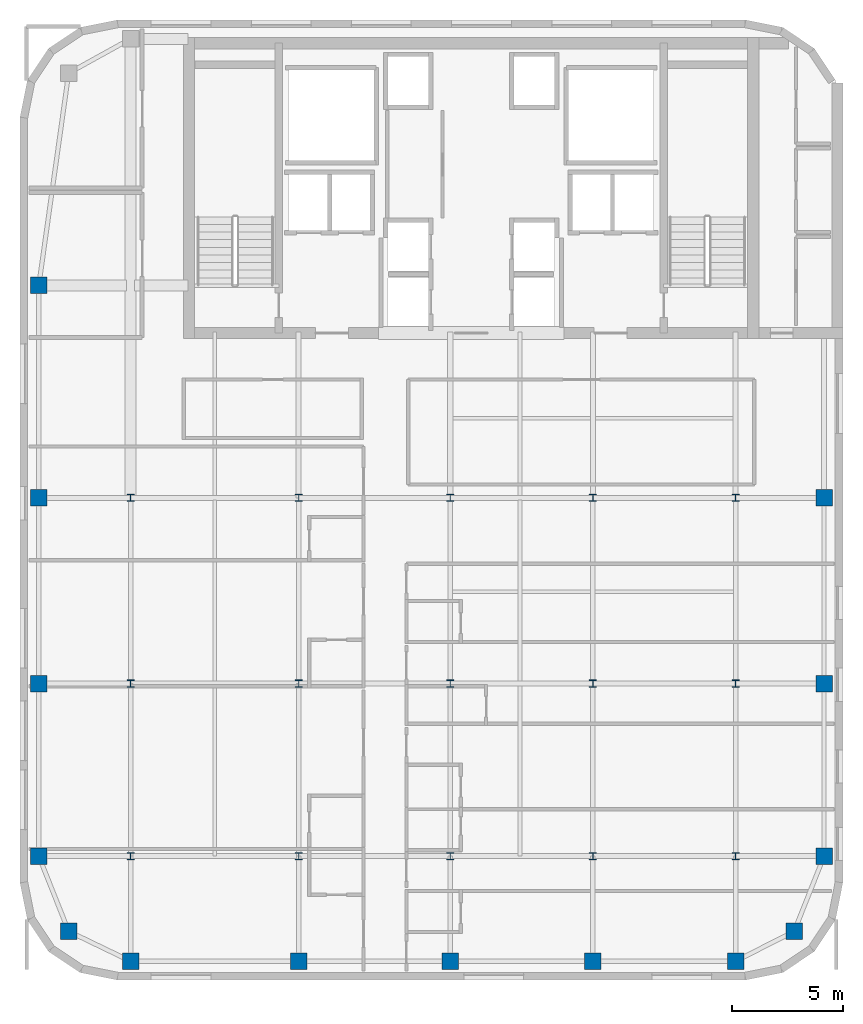
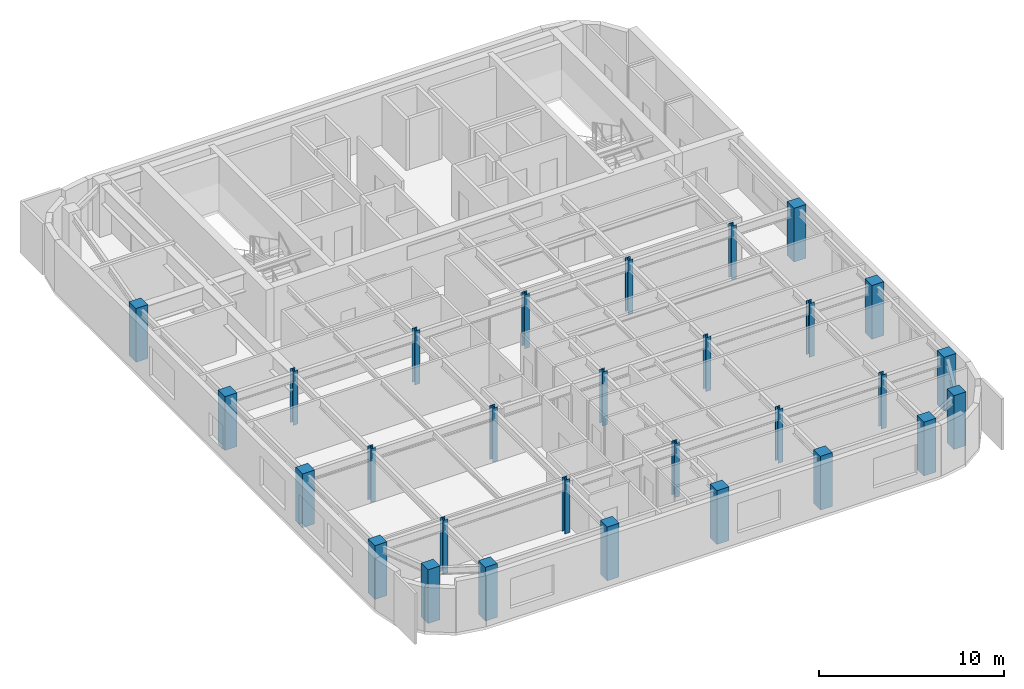
# One storey, part 1 of 9: 29 columns.
"""IFC4 building model written with IfcOpenShell, lengths in metres."""

import ifcopenshell
import ifcopenshell.guid

model = None  # the IFC model being written
_history = None  # IfcOwnerHistory: only IFC2X3 demands one
_inside = {}  # id of a spatial element -> (the spatial element, [elements in it])
_under = {}  # id of a project, library or spatial element -> (it, [spatial elements below it])
_declared = {}  # id of a project -> (the project, [libraries it declares])
_typed = {}  # id of a type object -> (the type object, [elements of that type])
_made_of = {}  # id of a material, layer set ... -> (it, [elements and type objects made of it])


def new_model(schema):
    """Start an empty IFC model of exactly this schema.

    Asked for "IFC4X3", IfcOpenShell would pick the latest addendum, in which some entities
    have other attributes; the version numbers below select the first issue.
    IFC2X3 requires an IfcOwnerHistory on every rooted entity: one is made here for all.
    """
    global model, _history
    if schema == "IFC4X3":
        model = ifcopenshell.file(schema_version=(4, 3, 0, 0))
    else:
        model = ifcopenshell.file(schema=schema)
    _inside.clear()
    _under.clear()
    _declared.clear()
    _typed.clear()
    _made_of.clear()
    _history = None
    if model.schema == "IFC2X3":
        org = make("IfcOrganization", Name="unknown")
        user = make(
            "IfcPersonAndOrganization",
            ThePerson=make("IfcPerson", FamilyName="unknown"),
            TheOrganization=org,
        )
        app = make(
            "IfcApplication",
            ApplicationDeveloper=org,
            Version="unknown",
            ApplicationFullName="unknown",
            ApplicationIdentifier="unknown",
        )
        _history = make(
            "IfcOwnerHistory",
            OwningUser=user,
            OwningApplication=app,
            ChangeAction="ADDED",
            CreationDate=0,
        )
    return model


def make(cls, **values):
    """One entity of the class cls with the attributes given. An attribute that is None is left unset."""
    return model.create_entity(
        cls, **{name: value for name, value in values.items() if value is not None}
    )


def rooted(cls, **values):
    """An entity with a GlobalId (a new one), such as an element, a storey or a relation."""
    return make(cls, GlobalId=ifcopenshell.guid.new(), OwnerHistory=_history, **values)


def si_unit(unit_type, name, prefix=None):
    """IfcSIUnit, for example si_unit("LENGTHUNIT", "METRE", prefix="MILLI")."""
    return make("IfcSIUnit", UnitType=unit_type, Prefix=prefix, Name=name)


def assignment(units):
    """IfcUnitAssignment: the units of a project."""
    return None if units is None else make("IfcUnitAssignment", Units=units)


def point(xyz):
    """IfcCartesianPoint."""
    return None if xyz is None else make("IfcCartesianPoint", Coordinates=xyz)


def direction(xyz):
    """IfcDirection."""
    return None if xyz is None else make("IfcDirection", DirectionRatios=xyz)


def frame(location, z_axis=None, x_axis=None):
    """IfcAxis2Placement3D, a coordinate frame: its origin and axes. An axis left out is left unset."""
    return make(
        "IfcAxis2Placement3D",
        Location=point(location),
        Axis=direction(z_axis),
        RefDirection=direction(x_axis),
    )


def frame_2d(location, x_axis=None):
    """IfcAxis2Placement2D, a coordinate frame in the plane: its origin and x axis."""
    return make(
        "IfcAxis2Placement2D", Location=point(location), RefDirection=direction(x_axis)
    )


def origin():
    """The frame at (0, 0, 0) with its axes left unset."""
    return frame((0.0, 0.0, 0.0))


def origin_2d():
    """The frame at (0, 0) in the plane with its x axis left unset."""
    return frame_2d((0.0, 0.0))


def place(relative_to, where):
    """IfcLocalPlacement: puts the frame where relative to a parent placement (None: the world)."""
    return make(
        "IfcLocalPlacement", PlacementRelTo=relative_to, RelativePlacement=where
    )


def context(
    kind, dimensions, precision=None, world=None, true_north=None, identifier=None
):
    """IfcGeometricRepresentationContext, for example the 3D "Model" context."""
    return make(
        "IfcGeometricRepresentationContext",
        ContextIdentifier=identifier,
        ContextType=kind,
        CoordinateSpaceDimension=dimensions,
        Precision=precision,
        WorldCoordinateSystem=world,
        TrueNorth=true_north,
    )


def subcontext(parent, identifier, kind, view, scale=None):
    """IfcGeometricRepresentationSubContext, for example "Body" below "Model"."""
    return make(
        "IfcGeometricRepresentationSubContext",
        ContextIdentifier=identifier,
        ContextType=kind,
        ParentContext=parent,
        TargetScale=scale,
        TargetView=view,
    )


def project(units=None, contexts=None):
    """IfcProject with its units and contexts."""
    return rooted(
        "IfcProject",
        Name="project",
        RepresentationContexts=contexts,
        UnitsInContext=assignment(units),
    )


def spatial(cls, under=None, at=None, **own):
    """A site, building, storey or space (cls), placed at a placement, below another one or the project."""
    s = rooted(cls, ObjectPlacement=at, **own)
    if under is not None:
        _under.setdefault(under.id(), (under, []))[1].append(s)
    return s


def profile(cls, at=None, kind="AREA", **sizes):
    """A parametric profile (cls). Its sizes go by their IFC names, for example OverallWidth=200.0."""
    return make(cls, ProfileType=kind, Position=at, **sizes)


def rectangle(**sizes):
    """IfcRectangleProfileDef."""
    return profile("IfcRectangleProfileDef", **sizes)


def i_section(**sizes):
    """IfcIShapeProfileDef."""
    return profile("IfcIShapeProfileDef", **sizes)


def extrude(swept, where, along, depth):
    """IfcExtrudedAreaSolid: the profile swept, set in the frame where, extruded along a direction by depth."""
    return make(
        "IfcExtrudedAreaSolid",
        SweptArea=swept,
        Position=where,
        ExtrudedDirection=direction(along),
        Depth=depth,
    )


def shape(context_of_items, identifier, shape_type, items):
    """IfcShapeRepresentation: the items that make up one representation, for example the "Body"."""
    return make(
        "IfcShapeRepresentation",
        ContextOfItems=context_of_items,
        RepresentationIdentifier=identifier,
        RepresentationType=shape_type,
        Items=items,
    )


def source(mapping_origin, context_of_items, identifier, shape_type, items):
    """IfcRepresentationMap: a shape defined once, which mapped items show again and again."""
    return make(
        "IfcRepresentationMap",
        MappingOrigin=mapping_origin,
        MappedRepresentation=shape(context_of_items, identifier, shape_type, items),
    )


def transform(
    local_origin,
    x_axis=None,
    y_axis=None,
    z_axis=None,
    scale=None,
    scale2=None,
    scale3=None,
    uniform=True,
):
    """IfcCartesianTransformationOperator3D, or its non-uniform kind. x_axis, y_axis, z_axis: its Axis1, 2, 3."""
    if uniform:
        return make(
            "IfcCartesianTransformationOperator3D",
            Axis1=direction(x_axis),
            Axis2=direction(y_axis),
            LocalOrigin=point(local_origin),
            Scale=scale,
            Axis3=direction(z_axis),
        )
    return make(
        "IfcCartesianTransformationOperator3DnonUniform",
        Axis1=direction(x_axis),
        Axis2=direction(y_axis),
        LocalOrigin=point(local_origin),
        Scale=scale,
        Axis3=direction(z_axis),
        Scale2=scale2,
        Scale3=scale3,
    )


def mapped(mapping_source, mapping_target):
    """IfcMappedItem: shows the shape of a source again, moved by a transform."""
    return make(
        "IfcMappedItem", MappingSource=mapping_source, MappingTarget=mapping_target
    )


def material(Name=None, Category=None):
    """IfcMaterial."""
    return make("IfcMaterial", Name=Name, Category=Category)


def material_profile(
    of_material, cross_section, Name=None, Category=None, Priority=None
):
    """IfcMaterialProfile: a cross section and its material."""
    return make(
        "IfcMaterialProfile",
        Name=Name,
        Material=of_material,
        Profile=cross_section,
        Priority=Priority,
        Category=Category,
    )


def profile_set(profiles, Name=None, composite=None):
    """IfcMaterialProfileSet."""
    return make(
        "IfcMaterialProfileSet",
        Name=Name,
        MaterialProfiles=profiles,
        CompositeProfile=composite,
    )


def made_of(thing, what):
    """Note that an element or type object is made of a material, layer set ...; save() writes the relation."""
    if what is not None:
        _made_of.setdefault(what.id(), (what, []))[1].append(thing)
    return thing


def type_object(cls, material=None, **own):
    """A type object (cls), such as IfcWallType, which elements share."""
    return made_of(rooted(cls, **own), material)


def type_shapes(of_type, sources):
    """Give a type object the sources (RepresentationMaps) that its elements show as mapped items."""
    of_type.RepresentationMaps = sources


def element(
    cls,
    number,
    at=None,
    inside=None,
    cuts=None,
    type_object=None,
    material=None,
    context=None,
    identifier="Body",
    shape_type=None,
    held_by="IfcProductDefinitionShape",
    body=None,
    shapes=None,
    **own,
):
    """One element of the class cls, such as IfcWall. Its Tag is "e" and its number.

    at: its placement. inside: the storey or other place that contains it. cuts: it is an
    opening in that element (IfcRelVoidsElement). A single representation is given by context,
    identifier, shape_type and body (its items); several are given by shapes. held_by: the class
    of the entity that holds the representations. save() writes the other relations.
    """
    e = rooted(cls, Tag="e%d" % number, ObjectPlacement=at, **own)
    if body is not None:
        shapes = [shape(context, identifier, shape_type, body)]
    if shapes is not None:
        e.Representation = make(held_by, Representations=shapes)
    if inside is not None:
        _inside.setdefault(inside.id(), (inside, []))[1].append(e)
    if cuts is not None:
        rooted(
            "IfcRelVoidsElement", RelatingBuildingElement=cuts, RelatedOpeningElement=e
        )
    if type_object is not None:
        _typed.setdefault(type_object.id(), (type_object, []))[1].append(e)
    return made_of(e, material)


def aggregate(whole, parts):
    """IfcRelAggregates: a whole, such as a stair, and the parts it consists of."""
    return rooted("IfcRelAggregates", RelatingObject=whole, RelatedObjects=parts)


def save(model, path):
    """Write the relations noted so far, then the file.

    IfcRelAggregates (storeys below a building ...), IfcRelContainedInSpatialStructure (elements
    in a storey), IfcRelDefinesByType, IfcRelAssociatesMaterial and IfcRelDeclares: one each for
    every whole, place, type object, material and project.
    """
    for whole, parts in _under.values():
        aggregate(whole, parts)
    for where, things in _inside.values():
        rooted(
            "IfcRelContainedInSpatialStructure",
            RelatedElements=things,
            RelatingStructure=where,
        )
    for kind, things in _typed.values():
        rooted("IfcRelDefinesByType", RelatedObjects=things, RelatingType=kind)
    for what, things in _made_of.values():
        rooted("IfcRelAssociatesMaterial", RelatedObjects=things, RelatingMaterial=what)
    for by, libraries in _declared.values():
        rooted("IfcRelDeclares", RelatingContext=by, RelatedDefinitions=libraries)
    model.write(path)


model = new_model("IFC4")

# Units and contexts
model_context = context("Model", 3, precision=1e-05, world=origin(), true_north=direction((0.0, 1.0)))
body_context = subcontext(model_context, "Body", "Model", "MODEL_VIEW")
ifc_project = project(units=[si_unit("LENGTHUNIT", "METRE"), si_unit("AREAUNIT", "SQUARE_METRE"), si_unit("VOLUMEUNIT", "CUBIC_METRE"), si_unit("PLANEANGLEUNIT", "RADIAN"), si_unit("MASSUNIT", "GRAM", prefix="KILO")], contexts=[model_context])

# Site, building, storey
site_placement = place(None, origin())
site = spatial("IfcSite", under=ifc_project, at=site_placement, CompositionType="ELEMENT")
building_placement = place(site_placement, origin())
building = spatial("IfcBuilding", under=site, at=building_placement, Name="Tolvann Quenvar Hotel", CompositionType="ELEMENT")
storey_placement = place(building_placement, frame((0.0, 0.0, 209.699951171875)))
storey = spatial("IfcBuildingStorey", under=building, at=storey_placement, Name="L55", CompositionType="ELEMENT", Elevation=209.699951171875)

# Columns
ifc_material_1 = material(Name="Concrete N50 (50 MPa)", Category="concrete")
ifc_material_profile_1 = material_profile(ifc_material_1, rectangle(XDim=0.75, YDim=0.75, at=origin_2d()), Name="RC750x750")
ifc_profile_set_1 = profile_set([ifc_material_profile_1], Name="Concrete N50 (50 MPa)")
column_type_1 = type_object("IfcColumnType", Name="COL_RC750", PredefinedType="COLUMN", material=ifc_profile_set_1)
shared_shape_1 = source(origin(), body_context, "Body", "SweptSolid", [
    extrude(rectangle(XDim=0.75, YDim=0.75, at=origin_2d()), origin(), (0.0, 0.0, 1.0), 3.550048828125),
])
type_shapes(column_type_1, [shared_shape_1])
for number, where, z_axis, x_axis, name in (
    (1, (4.800048828125, 4.800048828125, 0.0), (0.0, 0.0, 1.0), (1.0, 0.0, 0.0), "Column B2 (L55)"),
    (2, (3.449951171875, 8.199951171875, 0.0), (0.0, 0.0, 1.0), (1.0, 0.0, 0.0), "Column B3 (L55)"),
    (3, (3.449951171875, 16.0, 0.0), (0.0, 0.0, 1.0), (1.0, 0.0, 0.0), "Column B4 (L55)"),
    (4, (3.449951171875, 24.39990234375, 0.0), (0.0, 0.0, 1.0), (1.0, 0.0, 0.0), "Column B5 (L55)"),
    (5, (7.60009765625, 3.449951171875, 0.0), (0.0, 0.0, 1.0), (1.0, 0.0, 0.0), "Column C2 (L55)"),
    (6, (15.199951171875, 3.449951171875, 0.0), (0.0, 0.0, 1.0), (1.0, 0.0, 0.0), "Column D2 (L55)"),
    (7, (22.050048828125, 3.449951171875, 0.0), (0.0, 0.0, 1.0), (1.0, 0.0, 0.0), "Column E2 (L55)"),
    (8, (28.5, 3.449951171875, 0.0), (0.0, 0.0, 1.0), (1.0, 0.0, 0.0), "Column M2 (L55)"),
    (9, (34.949951171875, 3.449951171875, 0.0), (0.0, 0.0, 1.0), (1.0, 0.0, 0.0), "Column F2 (L55)"),
    (10, (37.60009765625, 4.800048828125, 0.0), (0.0, 0.0, 1.0), (1.0, 0.0, 0.0), "Column G2 (L55)"),
    (11, (38.949951171875, 8.199951171875, 0.0), (0.0, 0.0, 1.0), (1.0, 0.0, 0.0), "Column G3 (L55)"),
    (12, (38.949951171875, 16.0, 0.0), (0.0, 0.0, 1.0), (1.0, 0.0, 0.0), "Column G4 (L55)"),
    (13, (38.949951171875, 24.39990234375, 0.0), (0.0, 0.0, 1.0), (1.0, 0.0, 0.0), "Column G5 (L55)"),
    (14, (3.449951171875, 34.0, 0.0), (0.0, 0.0, 1.0), (1.0, 0.0, 0.0), "Column BD6 (L55)"),
):
    element("IfcColumn", number, at=place(storey_placement, frame(where, z_axis=z_axis, x_axis=x_axis)), inside=storey, type_object=column_type_1, Name=name, PredefinedType="COLUMN", context=body_context, shape_type="MappedRepresentation", body=[
        mapped(shared_shape_1, transform((0.0, 0.0, 0.0), x_axis=(1.0, 0.0, 0.0), y_axis=(0.0, 1.0, 0.0), z_axis=(0.0, 0.0, 1.0), scale=1.0)),
    ])
ifc_material_2 = material(Name="Steel Grade 350", Category="steel")
ifc_material_profile_2 = material_profile(ifc_material_2, i_section(OverallWidth=0.31103515625, OverallDepth=0.326904296875, WebThickness=0.015625, FlangeThickness=0.02490234375, FilletRadius=0.0166015625, at=origin_2d()), Name="310UC158")
ifc_profile_set_2 = profile_set([ifc_material_profile_2], Name="Steel Grade 350")
column_type_2 = type_object("IfcColumnType", Name="COL_310UC158", PredefinedType="COLUMN", material=ifc_profile_set_2)
shared_shape_2 = source(origin(), body_context, "Body", "SweptSolid", [
    extrude(i_section(OverallWidth=0.31103515625, OverallDepth=0.326904296875, WebThickness=0.015625, FlangeThickness=0.02490234375, FilletRadius=0.0166015625, at=origin_2d()), origin(), (0.0, 0.0, 1.0), 3.550048828125),
])
type_shapes(column_type_2, [shared_shape_2])
for number, where, z_axis, x_axis, name in (
    (15, (7.60009765625, 8.199951171875, 0.0), (0.0, 0.0, 1.0), (1.0, 0.0, 0.0), "Column C3 (L55)"),
    (16, (7.60009765625, 16.0, 0.0), (0.0, 0.0, 1.0), (1.0, 0.0, 0.0), "Column C4 (L55)"),
    (17, (7.60009765625, 24.39990234375, 0.0), (0.0, 0.0, 1.0), (1.0, 0.0, 0.0), "Column C5 (L55)"),
    (18, (15.199951171875, 8.199951171875, 0.0), (0.0, 0.0, 1.0), (1.0, 0.0, 0.0), "Column D3 (L55)"),
    (19, (15.199951171875, 16.0, 0.0), (0.0, 0.0, 1.0), (1.0, 0.0, 0.0), "Column D4 (L55)"),
    (20, (15.199951171875, 24.39990234375, 0.0), (0.0, 0.0, 1.0), (1.0, 0.0, 0.0), "Column D5 (L55)"),
    (21, (22.050048828125, 8.199951171875, 0.0), (0.0, 0.0, 1.0), (1.0, 0.0, 0.0), "Column E3 (L55)"),
    (22, (22.050048828125, 16.0, 0.0), (0.0, 0.0, 1.0), (1.0, 0.0, 0.0), "Column E4 (L55)"),
    (23, (22.050048828125, 24.39990234375, 0.0), (0.0, 0.0, 1.0), (1.0, 0.0, 0.0), "Column E5 (L55)"),
    (24, (28.5, 8.199951171875, 0.0), (0.0, 0.0, 1.0), (1.0, 0.0, 0.0), "Column M3 (L55)"),
    (25, (28.5, 16.0, 0.0), (0.0, 0.0, 1.0), (1.0, 0.0, 0.0), "Column M4 (L55)"),
    (26, (28.5, 24.39990234375, 0.0), (0.0, 0.0, 1.0), (1.0, 0.0, 0.0), "Column M5 (L55)"),
    (27, (34.949951171875, 8.199951171875, 0.0), (0.0, 0.0, 1.0), (1.0, 0.0, 0.0), "Column F3 (L55)"),
    (28, (34.949951171875, 16.0, 0.0), (0.0, 0.0, 1.0), (1.0, 0.0, 0.0), "Column F4 (L55)"),
    (29, (34.949951171875, 24.39990234375, 0.0), (0.0, 0.0, 1.0), (1.0, 0.0, 0.0), "Column F5 (L55)"),
):
    element("IfcColumn", number, at=place(storey_placement, frame(where, z_axis=z_axis, x_axis=x_axis)), inside=storey, type_object=column_type_2, Name=name, PredefinedType="COLUMN", context=body_context, shape_type="MappedRepresentation", body=[
        mapped(shared_shape_2, transform((0.0, 0.0, 0.0), x_axis=(1.0, 0.0, 0.0), y_axis=(0.0, 1.0, 0.0), z_axis=(0.0, 0.0, 1.0), scale=1.0)),
    ])

save(model, "model.ifc")
